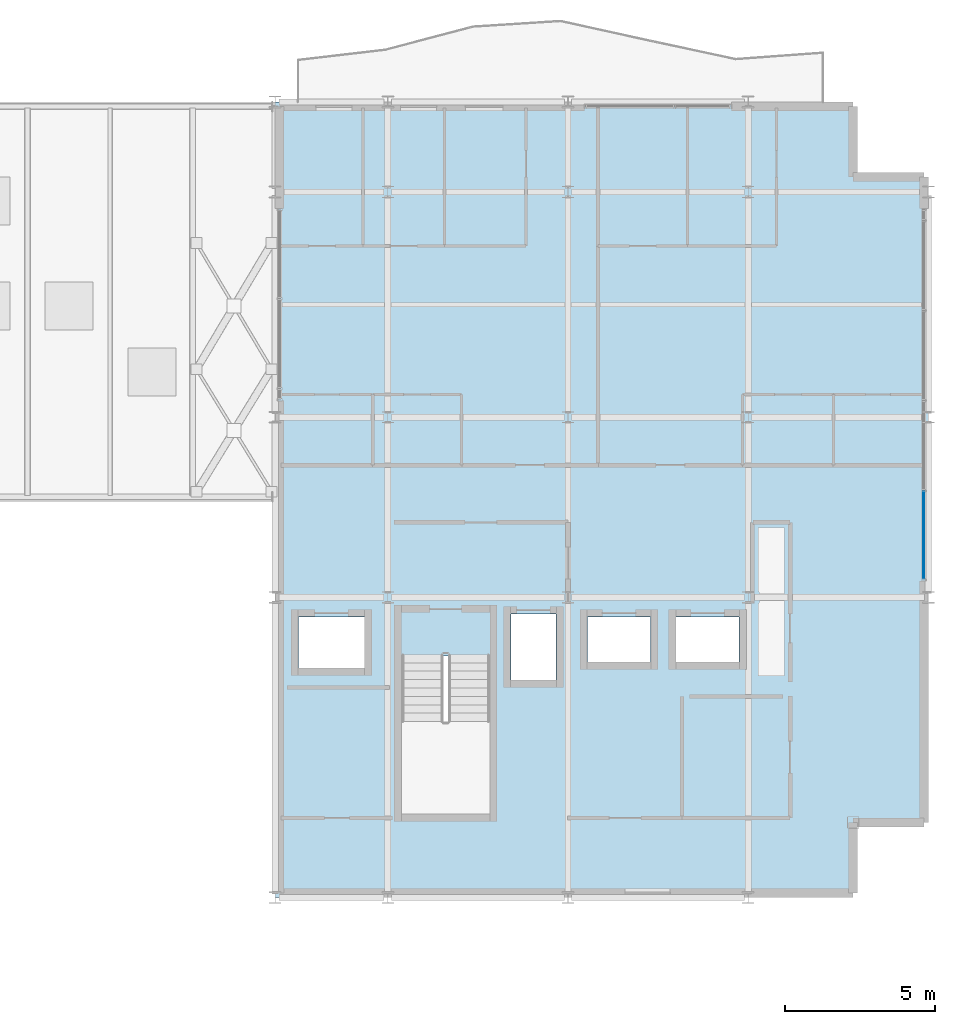
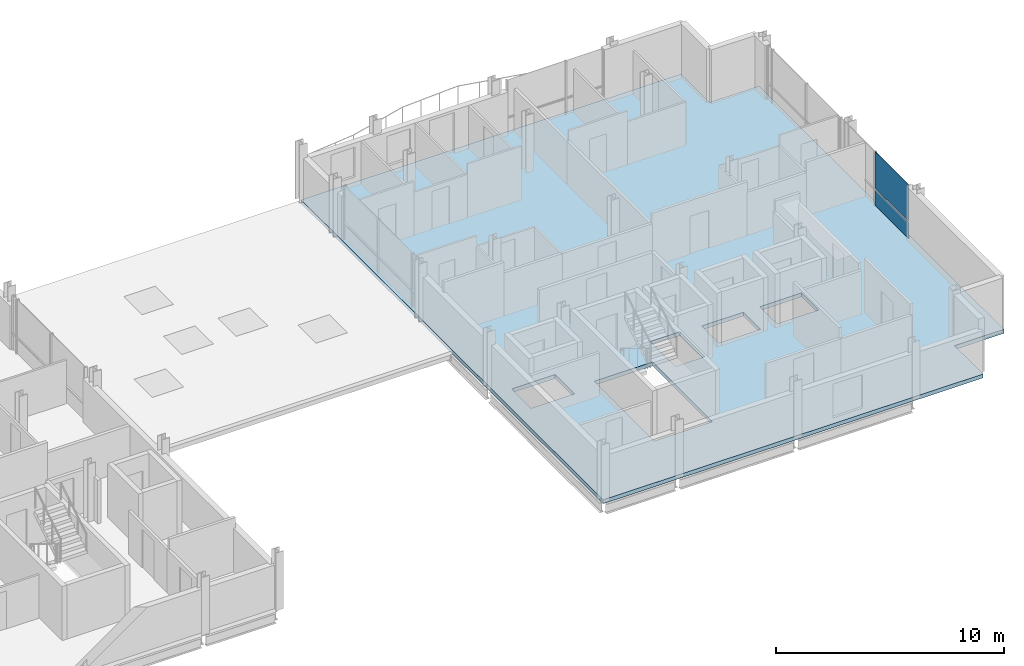
# One storey, part 23 of 33: 2 plates, 1 slab, 1 element without a shape of its own.
"""IFC4 building model written with IfcOpenShell, lengths in metres."""

from ifc_helpers import new_model, si_unit, direction, frame, origin, origin_2d, place, context, subcontext, project, spatial, polyline, rectangle, outline, extrude, material, layer, layer_set, type_object, element, aggregate, save


model = new_model("IFC4")

# Units and contexts
model_context = context("Model", 3, precision=1e-05, world=origin(), true_north=direction((0.0, 1.0)))
body_context = subcontext(model_context, "Body", "Model", "MODEL_VIEW")
ifc_project = project(units=[si_unit("LENGTHUNIT", "METRE"), si_unit("AREAUNIT", "SQUARE_METRE"), si_unit("VOLUMEUNIT", "CUBIC_METRE"), si_unit("PLANEANGLEUNIT", "RADIAN"), si_unit("MASSUNIT", "GRAM", prefix="KILO")], contexts=[model_context])

# Site, building, storey
site_placement = place(None, origin())
site = spatial("IfcSite", under=ifc_project, at=site_placement, CompositionType="ELEMENT")
building_placement = place(site_placement, origin())
building = spatial("IfcBuilding", under=site, at=building_placement, Name="Brevholm Reach", CompositionType="ELEMENT")
storey_placement = place(building_placement, frame((0.0, 0.0, 189.39990234375)))
storey = spatial("IfcBuildingStorey", under=building, at=storey_placement, Name="L57", CompositionType="ELEMENT", Elevation=189.39990234375)

# Curtain wall, plates
ifc_material_1 = material(Name="Dark Anodised Aluminium 6063-T6 and Solar-Control Glass", Category="aluminium")
ifc_layer_1 = layer(ifc_material_1, 0.14990234375)
ifc_layer_set_1 = layer_set([ifc_layer_1], Name="Dark Anodised Aluminium 6063-T6 and Solar-Control Glass")
curtain_wall_type = type_object("IfcCurtainWallType", Name="CW-01", PredefinedType="NOTDEFINED", material=ifc_layer_set_1)
curtain_wall_placement = place(storey_placement, origin())
curtain_wall = element("IfcCurtainWall", 1, at=curtain_wall_placement, inside=storey, type_object=curtain_wall_type, Name="L57 Curtain Wall CW-01", PredefinedType="NOTDEFINED")
ifc_material_2 = material(Name="Dark Solar-Control Double-Glazed IGU Glass", Category="glass")
ifc_layer_2 = layer(ifc_material_2, 0.028076171875)
ifc_layer_set_2 = layer_set([ifc_layer_2], Name="Dark Solar-Control Double-Glazed IGU Glass")
plate_type = type_object("IfcPlateType", Name="CWP-GLZ-28", PredefinedType="CURTAIN_PANEL", material=ifc_layer_set_2)
plate_1_placement = place(storey_placement, frame((59.85009765625, 12.066162109375, 0.0), z_axis=(0.0, 0.0, 1.0), x_axis=(0.0, 1.0, 0.0)))
plate_1 = element("IfcPlate", 2, at=plate_1_placement, type_object=plate_type, Name="CP-01 Glazing Panel 1.1", PredefinedType="CURTAIN_PANEL", context=body_context, shape_type="SweptSolid", body=[
    extrude(rectangle(XDim=2.902587890625, YDim=0.028076171875, at=origin_2d()), origin(), (0.0, 0.0, 1.0), 0.867431640625),
])
plate_2_placement = place(storey_placement, frame((59.85009765625, 12.066162109375, 0.9326171875), z_axis=(0.0, 0.0, 1.0), x_axis=(0.0, 1.0, 0.0)))
plate_2 = element("IfcPlate", 3, at=plate_2_placement, type_object=plate_type, Name="CP-01 Glazing Panel 1.2", PredefinedType="CURTAIN_PANEL", context=body_context, shape_type="SweptSolid", body=[
    extrude(rectangle(XDim=2.902587890625, YDim=0.028076171875, at=origin_2d()), origin(), (0.0, 0.0, 1.0), 1.95751953125),
])
aggregate(curtain_wall, [plate_1, plate_2])

# Slab
ifc_material_3 = material(Name="Concrete C40/50", Category="concrete")
ifc_layer_3 = layer(ifc_material_3, 0.2099609375)
ifc_layer_set_3 = layer_set([ifc_layer_3], Name="Concrete C40/50")
slab_type = type_object("IfcSlabType", Name="SLB-FL-210", PredefinedType="FLOOR", material=ifc_layer_set_3)
slab_placement = place(storey_placement, frame((0.0, 0.0, -0.2099609375)))
element("IfcSlab", 4, at=slab_placement, inside=storey, type_object=slab_type, Name="L57 Suspended Floor Slab (east-wing)", PredefinedType="FLOOR", context=body_context, shape_type="SweptSolid", body=[
    extrude(outline(polyline([(38.25, 0.0), (57.5, 0.0), (57.5, 2.5), (60.0, 2.5), (60.0, 24.0), (57.5, 24.0), (57.5, 26.5), (38.25, 26.5), (38.25, 0.0)]), holes=[polyline([(42.449951171875, 2.780029296875), (45.39990234375, 2.780029296875), (45.39990234375, 8.044921875), (42.449951171875, 8.044921875), (42.449951171875, 2.780029296875)]), polyline([(46.10009765625, 7.25), (47.60009765625, 7.25), (47.60009765625, 9.449951171875), (46.10009765625, 9.449951171875), (46.10009765625, 7.25)]), polyline([(39.02001953125, 7.64990234375), (41.219970703125, 7.64990234375), (41.219970703125, 9.35009765625), (39.02001953125, 9.35009765625), (39.02001953125, 7.64990234375)]), polyline([(48.64990234375, 7.85009765625), (50.75, 7.85009765625), (50.75, 9.35009765625), (48.64990234375, 9.35009765625), (48.64990234375, 7.85009765625)]), polyline([(51.60009765625, 7.85009765625), (53.699951171875, 7.85009765625), (53.699951171875, 9.35009765625), (51.60009765625, 9.35009765625), (51.60009765625, 7.85009765625)])]), origin(), (0.0, 0.0, 1.0), 0.2099609375),
])

save(model, "model.ifc")
